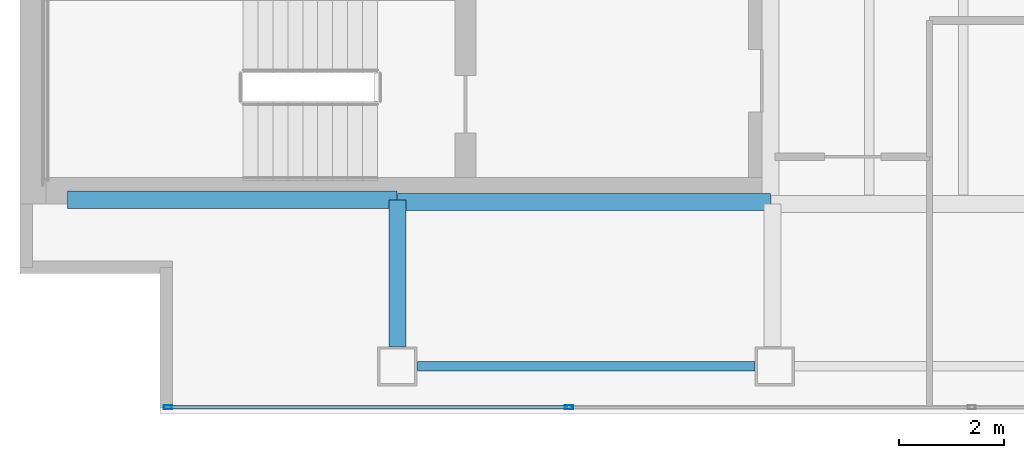
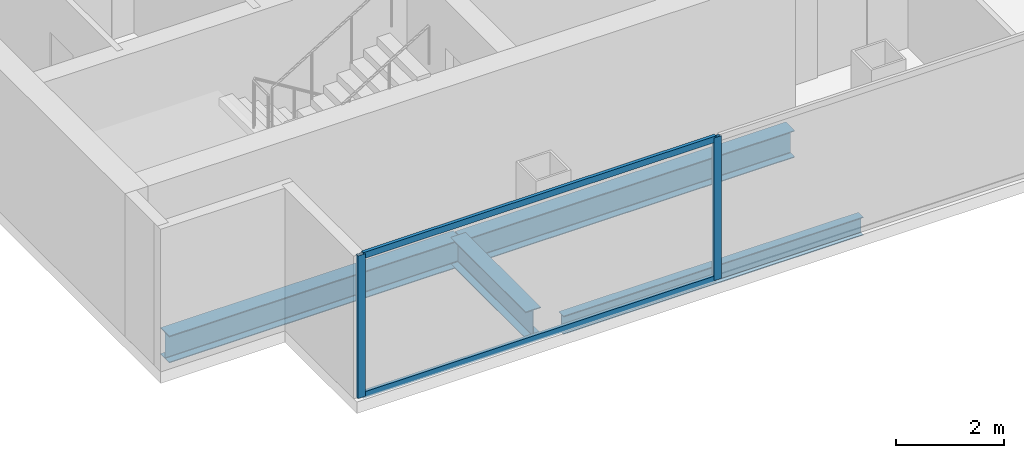
# One storey, part 2 of 23: 4 beams, 4 members, 1 element without a shape of its own.
"""IFC4 building model written with IfcOpenShell, lengths in metres."""

from ifc_helpers import new_model, si_unit, direction, frame, origin, origin_2d, place, context, subcontext, project, spatial, hollow_rectangle, i_section, extrude, material, material_profile, profile_set, type_object, element, aggregate, save


model = new_model("IFC4")

# Units and contexts
model_context = context("Model", 3, precision=1e-05, world=origin(), true_north=direction((0.0, 1.0)))
body_context = subcontext(model_context, "Body", "Model", "MODEL_VIEW")
ifc_project = project(units=[si_unit("LENGTHUNIT", "METRE"), si_unit("AREAUNIT", "SQUARE_METRE"), si_unit("VOLUMEUNIT", "CUBIC_METRE"), si_unit("PLANEANGLEUNIT", "RADIAN"), si_unit("MASSUNIT", "GRAM", prefix="KILO")], contexts=[model_context])

# Site, building, storey
site_placement = place(None, origin())
site = spatial("IfcSite", under=ifc_project, at=site_placement, CompositionType="ELEMENT")
building_placement = place(site_placement, origin())
building = spatial("IfcBuilding", under=site, at=building_placement, Name="Cobrela Telecom Tower", CompositionType="ELEMENT")
storey_placement = place(building_placement, frame((0.0, 0.0, 222.25)))
storey = spatial("IfcBuildingStorey", under=building, at=storey_placement, Name="L57", CompositionType="ELEMENT", Elevation=222.25)

# Beams
ifc_material_1 = material(Name="Steel ASTM A992 Grade 50", Category="steel")
ifc_material_profile_1 = material_profile(ifc_material_1, i_section(OverallWidth=0.324951171875, OverallDepth=0.612060546875, WebThickness=0.0126953125, FlangeThickness=0.01904296875, FilletRadius=0.014892578125, at=origin_2d()), Name="W24X104")
ifc_profile_set_1 = profile_set([ifc_material_profile_1], Name="Steel ASTM A992 Grade 50")
beam_type_1 = type_object("IfcBeamType", Name="BM-GIRD-07", PredefinedType="USERDEFINED", material=ifc_profile_set_1)
beam_1_placement = place(storey_placement, frame((0.905029296875, 7.280029296875, -0.56591796875), z_axis=(1.0, 0.0, 0.0), x_axis=(0.0, 1.0, 0.0)))
element("IfcBeam", 1, at=beam_1_placement, inside=storey, type_object=beam_type_1, Name="L57 Primary Girder X05", ObjectType="GIRDER", PredefinedType="USERDEFINED", context=body_context, shape_type="SweptSolid", body=[
    extrude(i_section(OverallWidth=0.324951171875, OverallDepth=0.612060546875, WebThickness=0.0126953125, FlangeThickness=0.01904296875, FilletRadius=0.014892578125, at=origin_2d()), origin(), (0.0, 0.0, 1.0), 6.2900390625),
])
beam_2_placement = place(storey_placement, frame((7.205078125, 7.239990234375, -0.56591796875), z_axis=(1.0, 0.0, 0.0), x_axis=(0.0, 1.0, 0.0)))
element("IfcBeam", 2, at=beam_2_placement, inside=storey, type_object=beam_type_1, Name="L57 Primary Girder X06", ObjectType="GIRDER", PredefinedType="USERDEFINED", context=body_context, shape_type="SweptSolid", body=[
    extrude(i_section(OverallWidth=0.324951171875, OverallDepth=0.612060546875, WebThickness=0.0126953125, FlangeThickness=0.01904296875, FilletRadius=0.014892578125, at=origin_2d()), origin(), (0.0, 0.0, 1.0), 7.10986328125),
])
beam_3_placement = place(storey_placement, frame((7.199951171875, 4.47998046875, -0.56591796875), z_axis=(0.0, 1.0, 0.0), x_axis=(-1.0, 0.0, 0.0)))
element("IfcBeam", 3, at=beam_3_placement, inside=storey, type_object=beam_type_1, Name="L57 Primary Girder Y24", ObjectType="GIRDER", PredefinedType="USERDEFINED", context=body_context, shape_type="SweptSolid", body=[
    extrude(i_section(OverallWidth=0.324951171875, OverallDepth=0.612060546875, WebThickness=0.0126953125, FlangeThickness=0.01904296875, FilletRadius=0.014892578125, at=origin_2d()), origin(), (0.0, 0.0, 1.0), 2.794921875),
])
ifc_material_profile_2 = material_profile(ifc_material_1, i_section(OverallWidth=0.179931640625, OverallDepth=0.4169921875, WebThickness=0.010986328125, FlangeThickness=0.01806640625, FilletRadius=0.011962890625, at=origin_2d()), Name="W16X57")
ifc_profile_set_2 = profile_set([ifc_material_profile_2], Name="Steel ASTM A992 Grade 50")
beam_type_2 = type_object("IfcBeamType", Name="BM-SPAND-06", PredefinedType="SPANDREL", material=ifc_profile_set_2)
beam_4_placement = place(storey_placement, frame((7.580078125, 4.10009765625, -0.468505859375), z_axis=(1.0, 0.0, 0.0), x_axis=(0.0, 1.0, 0.0)))
element("IfcBeam", 4, at=beam_4_placement, inside=storey, type_object=beam_type_2, Name="L57 Perimeter Spandrel X01", PredefinedType="SPANDREL", context=body_context, shape_type="SweptSolid", body=[
    extrude(i_section(OverallWidth=0.179931640625, OverallDepth=0.4169921875, WebThickness=0.010986328125, FlangeThickness=0.01806640625, FilletRadius=0.011962890625, at=origin_2d()), origin(), (0.0, 0.0, 1.0), 6.43994140625),
])

# Curtain wall, members
ifc_material_2 = material(Name="Anodized Bronze Aluminium 6063-T6", Category="aluminium")
curtain_wall_type = type_object("IfcCurtainWallType", Name="CW-SYS-OFF-LO", PredefinedType="USERDEFINED", material=ifc_material_2)
curtain_wall_placement = place(storey_placement, origin())
curtain_wall = element("IfcCurtainWall", 5, at=curtain_wall_placement, inside=storey, type_object=curtain_wall_type, Name="L57 Unitised Bronze Curtain Wall 17", ObjectType="UNITISED CURTAIN WALL", PredefinedType="USERDEFINED")
ifc_material_profile_3 = material_profile(ifc_material_2, hollow_rectangle(XDim=0.070068359375, YDim=0.159912109375, WallThickness=0.00390625, at=origin_2d()), Name="ALU 70x160x4")
ifc_profile_set_3 = profile_set([ifc_material_profile_3], Name="Anodized Bronze Aluminium 6063-T6")
member_type_1 = type_object("IfcMemberType", Name="CW-SYS-OFF-LO-MUL", PredefinedType="MULLION", material=ifc_profile_set_3)
member_1_placement = place(storey_placement, frame((10.47412109375, 3.320068359375, 0.0), z_axis=(0.0, 0.0, 1.0), x_axis=(0.0, -1.0, 0.0)))
member_1 = element("IfcMember", 6, at=member_1_placement, type_object=member_type_1, Name="CW-OFF-LO mullion 5", PredefinedType="MULLION", context=body_context, shape_type="SweptSolid", body=[
    extrude(hollow_rectangle(XDim=0.070068359375, YDim=0.159912109375, WallThickness=0.00390625, at=origin_2d()), origin(), (0.0, 0.0, 1.0), 3.239990234375),
])
member_2_placement = place(storey_placement, frame((2.824951171875, 3.320068359375, 0.0), z_axis=(0.0, 0.0, 1.0), x_axis=(0.0, -1.0, 0.0)))
member_2 = element("IfcMember", 7, at=member_2_placement, type_object=member_type_1, Name="CW-OFF-LO mullion 6", PredefinedType="MULLION", context=body_context, shape_type="SweptSolid", body=[
    extrude(hollow_rectangle(XDim=0.070068359375, YDim=0.159912109375, WallThickness=0.00390625, at=origin_2d()), origin(), (0.0, 0.0, 1.0), 3.239990234375),
])
ifc_material_profile_4 = material_profile(ifc_material_2, hollow_rectangle(XDim=0.070068359375, YDim=0.139892578125, WallThickness=0.00390625, at=origin_2d()), Name="ALU 70x140x4")
ifc_profile_set_4 = profile_set([ifc_material_profile_4], Name="Anodized Bronze Aluminium 6063-T6")
member_type_2 = type_object("IfcMemberType", Name="CW-SYS-OFF-LO-TRN", PredefinedType="USERDEFINED", material=ifc_profile_set_4)
member_3_placement = place(storey_placement, frame((10.43896484375, 3.320068359375, 0.034912109375), z_axis=(-1.0, 0.0, 0.0), x_axis=(0.0, -1.0, 0.0)))
member_3 = element("IfcMember", 8, at=member_3_placement, type_object=member_type_2, Name="CW-OFF-LO transom 5.1", ObjectType="TRANSOM", PredefinedType="USERDEFINED", context=body_context, shape_type="SweptSolid", body=[
    extrude(hollow_rectangle(XDim=0.070068359375, YDim=0.139892578125, WallThickness=0.00390625, at=origin_2d()), origin(), (0.0, 0.0, 1.0), 7.578857421875),
])
member_4_placement = place(storey_placement, frame((10.43896484375, 3.320068359375, 3.205078125), z_axis=(-1.0, 0.0, 0.0), x_axis=(0.0, -1.0, 0.0)))
member_4 = element("IfcMember", 9, at=member_4_placement, type_object=member_type_2, Name="CW-OFF-LO transom 5.2", ObjectType="TRANSOM", PredefinedType="USERDEFINED", context=body_context, shape_type="SweptSolid", body=[
    extrude(hollow_rectangle(XDim=0.070068359375, YDim=0.139892578125, WallThickness=0.00390625, at=origin_2d()), origin(), (0.0, 0.0, 1.0), 7.578857421875),
])
aggregate(curtain_wall, [member_1, member_2, member_3, member_4])

save(model, "model.ifc")
